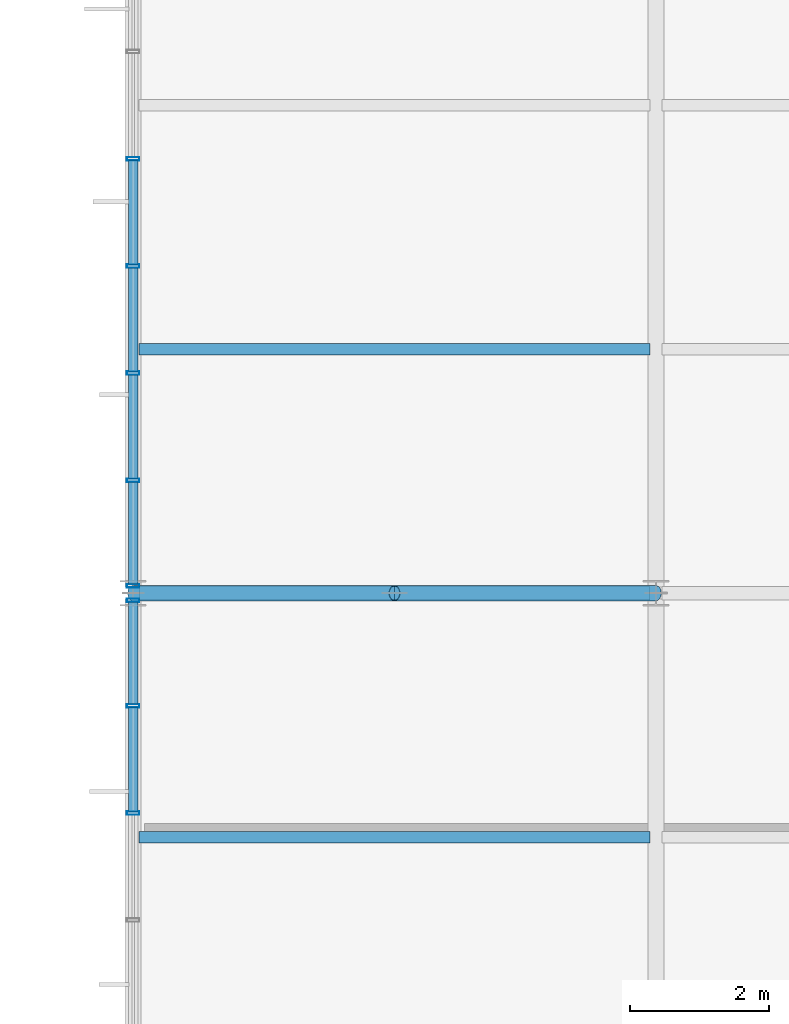
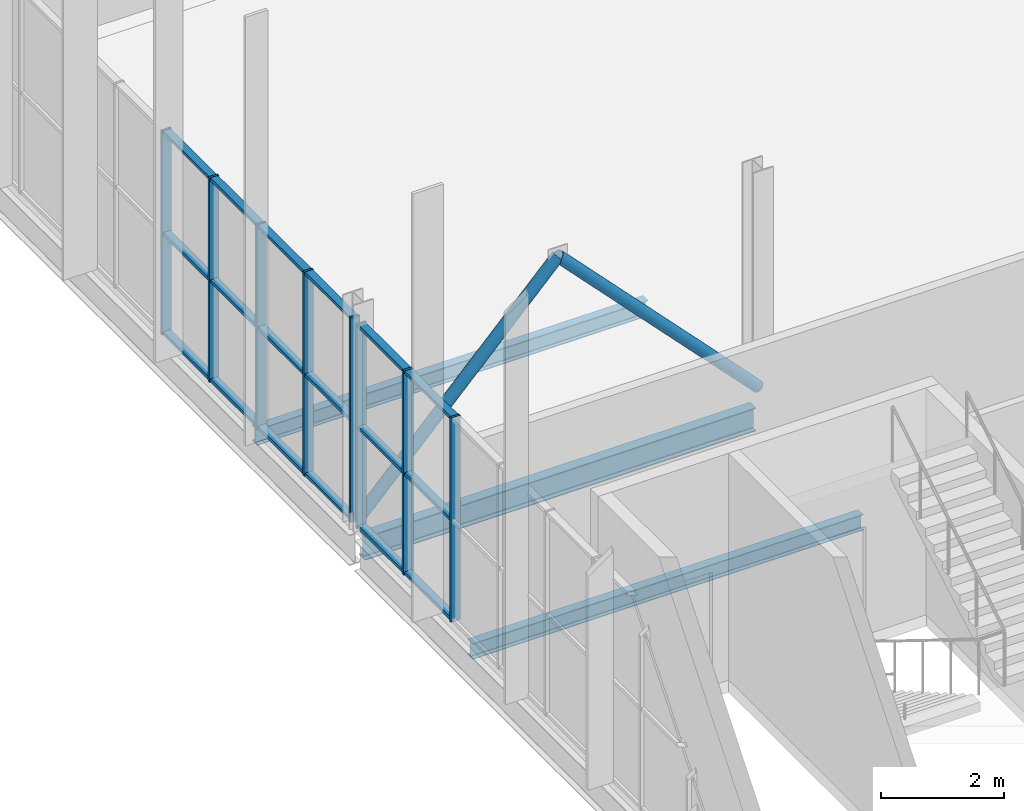
# One storey, part 77 of 324: 28 members, 3 beams, 2 elements without a shape of their own.
"""IFC4 building model written with IfcOpenShell, lengths in metres."""

from ifc_helpers import new_model, si_unit, direction, frame, origin, origin_2d, place, context, subcontext, project, spatial, hollow_rectangle, hollow_circle, i_section, extrude, material, layer, layer_set, material_profile, profile_set, type_object, element, aggregate, save


model = new_model("IFC4")

# Units and contexts
model_context = context("Model", 3, precision=1e-05, world=origin(), true_north=direction((0.0, 1.0)))
body_context = subcontext(model_context, "Body", "Model", "MODEL_VIEW")
ifc_project = project(units=[si_unit("LENGTHUNIT", "METRE"), si_unit("AREAUNIT", "SQUARE_METRE"), si_unit("VOLUMEUNIT", "CUBIC_METRE"), si_unit("PLANEANGLEUNIT", "RADIAN"), si_unit("MASSUNIT", "GRAM", prefix="KILO")], contexts=[model_context])

# Site, building, storey
site_placement = place(None, origin())
site = spatial("IfcSite", under=ifc_project, at=site_placement, CompositionType="ELEMENT")
building_placement = place(site_placement, origin())
building = spatial("IfcBuilding", under=site, at=building_placement, Name="Solvenia Promenade Tram Depot", CompositionType="ELEMENT")
storey_placement = place(building_placement, frame((0.0, 0.0, 4.5)))
storey = spatial("IfcBuildingStorey", under=building, at=storey_placement, Name="L01", CompositionType="ELEMENT", Elevation=4.5)

# Beam
ifc_material_1 = material(Name="Structural steel ASTM A992 Gr. 50", Category="steel")
ifc_material_profile_1 = material_profile(ifc_material_1, i_section(OverallWidth=0.19091796875, OverallDepth=0.4599609375, WebThickness=0.010009765625, FlangeThickness=0.01611328125, FilletRadius=0.012939453125, at=origin_2d()), Name="W460x82", Category="steel")
ifc_profile_set_1 = profile_set([ifc_material_profile_1], Name="Structural steel ASTM A992 Gr. 50")
beam_type_1 = type_object("IfcBeamType", Name="Beam-W460x82", PredefinedType="BEAM", material=ifc_profile_set_1)
beam_placement = place(storey_placement, frame((105.0849609375, 52.0, -0.469970703125), z_axis=(1.0, 0.0, 0.0), x_axis=(0.0, 1.0, 0.0)))
element("IfcBeam", 1, at=beam_placement, inside=storey, type_object=beam_type_1, Name="Primary Girder BM-L01-0129", PredefinedType="BEAM", context=body_context, shape_type="SweptSolid", body=[
    extrude(i_section(OverallWidth=0.19091796875, OverallDepth=0.4599609375, WebThickness=0.010009765625, FlangeThickness=0.01611328125, FilletRadius=0.012939453125, at=origin_2d()), origin(), (0.0, 0.0, 1.0), 7.330078125),
])

# Members
ifc_material_2 = material(Name="Structural steel ASTM A500 Gr. C", Category="steel")
ifc_material_profile_2 = material_profile(ifc_material_2, hollow_circle(Radius=0.109619140625, WallThickness=0.008056640625, at=origin_2d()), Name="CHS219.1x8", Category="steel")
ifc_profile_set_2 = profile_set([ifc_material_profile_2], Name="Structural steel ASTM A500 Gr. C")
member_type_1 = type_object("IfcMemberType", Name="Brace-CHS219x8", PredefinedType="BRACE", material=ifc_profile_set_2)
for number, where, z_axis, x_axis, name in (
    (2, (105.0, 52.0, 0.10009765625), (0.693117734231, 0.0, 0.720824393659), (0.0, 1.0, 0.0), "PAC-DES Chevron Brace 08L"),
    (3, (112.5, 52.0, 0.10009765625), (-0.693117734231, 0.0, 0.720824393659), (0.0, -1.0, 0.0), "PAC-DES Chevron Brace 08R"),
):
    element("IfcMember", number, at=place(storey_placement, frame(where, z_axis=z_axis, x_axis=x_axis)), inside=storey, type_object=member_type_1, Name=name, PredefinedType="BRACE", context=body_context, shape_type="SweptSolid", body=[
        extrude(hollow_circle(Radius=0.109619140625, WallThickness=0.008056640625, at=origin_2d()), origin(), (0.0, 0.0, 1.0), 5.410400390625),
    ])

# Curtain wall, members
ifc_material_3 = material(Name="Anodized aluminium AW-6063 T6", Category="aluminium")
ifc_layer = layer(ifc_material_3, 0.14990234375, Name="Anodized aluminium AW-6063 T6", Category="aluminium")
ifc_layer_set = layer_set([ifc_layer], Name="Anodized aluminium AW-6063 T6")
curtain_wall_type = type_object("IfcCurtainWallType", Name="CW-Court-1500", PredefinedType="NOTDEFINED", material=ifc_layer_set)
curtain_wall_1_placement = place(storey_placement, origin())
curtain_wall_1 = element("IfcCurtainWall", 4, at=curtain_wall_1_placement, inside=storey, type_object=curtain_wall_type, Name="Curtain Wall CW-V2W-L1-1", PredefinedType="NOTDEFINED")
ifc_material_profile_3 = material_profile(ifc_material_3, hollow_rectangle(XDim=0.179931640625, YDim=0.050048828125, WallThickness=0.00390625, at=origin_2d()), Name="ALU-M2", Category="aluminium")
ifc_profile_set_3 = profile_set([ifc_material_profile_3], Name="Anodized aluminium AW-6063 T6")
member_type_2 = type_object("IfcMemberType", Name="CWM-Mullion-2", PredefinedType="MULLION", material=ifc_profile_set_3)
member_1_placement = place(storey_placement, frame((105.0, 48.844482421875, 0.0), z_axis=(0.0, 0.0, 1.0), x_axis=(-1.0, 0.0, 0.0)))
member_1 = element("IfcMember", 5, at=member_1_placement, type_object=member_type_2, Name="CW-5 mullion 8", PredefinedType="MULLION", context=body_context, shape_type="SweptSolid", body=[
    extrude(hollow_rectangle(XDim=0.179931640625, YDim=0.050048828125, WallThickness=0.00390625, at=origin_2d()), origin(), (0.0, 0.0, 1.0), 4.050048828125),
])
member_2_placement = place(storey_placement, frame((105.0, 50.38232421875, 0.0), z_axis=(0.0, 0.0, 1.0), x_axis=(-1.0, 0.0, 0.0)))
member_2 = element("IfcMember", 6, at=member_2_placement, type_object=member_type_2, Name="CW-5 mullion 9", PredefinedType="MULLION", context=body_context, shape_type="SweptSolid", body=[
    extrude(hollow_rectangle(XDim=0.179931640625, YDim=0.050048828125, WallThickness=0.00390625, at=origin_2d()), origin(), (0.0, 0.0, 1.0), 4.050048828125),
])
member_3_placement = place(storey_placement, frame((105.0, 51.89501953125, 0.0), z_axis=(0.0, 0.0, 1.0), x_axis=(-1.0, 0.0, 0.0)))
member_3 = element("IfcMember", 7, at=member_3_placement, type_object=member_type_2, Name="CW-5 mullion 10", PredefinedType="MULLION", context=body_context, shape_type="SweptSolid", body=[
    extrude(hollow_rectangle(XDim=0.179931640625, YDim=0.050048828125, WallThickness=0.00390625, at=origin_2d()), origin(), (0.0, 0.0, 1.0), 4.050048828125),
])

curtain_wall_2_placement = place(storey_placement, origin())
curtain_wall_2 = element("IfcCurtainWall", 8, at=curtain_wall_2_placement, inside=storey, type_object=curtain_wall_type, Name="Curtain Wall CW-V2W-L1-2", PredefinedType="NOTDEFINED")
member_4_placement = place(storey_placement, frame((105.0, 52.10498046875, 0.0), z_axis=(0.0, 0.0, 1.0), x_axis=(-1.0, 0.0, 0.0)))
member_4 = element("IfcMember", 9, at=member_4_placement, type_object=member_type_2, Name="CW-5 mullion 1", PredefinedType="MULLION", context=body_context, shape_type="SweptSolid", body=[
    extrude(hollow_rectangle(XDim=0.179931640625, YDim=0.050048828125, WallThickness=0.00390625, at=origin_2d()), origin(), (0.0, 0.0, 1.0), 4.050048828125),
])
member_5_placement = place(storey_placement, frame((105.0, 53.61767578125, 0.0), z_axis=(0.0, 0.0, 1.0), x_axis=(-1.0, 0.0, 0.0)))
member_5 = element("IfcMember", 10, at=member_5_placement, type_object=member_type_2, Name="CW-5 mullion 2", PredefinedType="MULLION", context=body_context, shape_type="SweptSolid", body=[
    extrude(hollow_rectangle(XDim=0.179931640625, YDim=0.050048828125, WallThickness=0.00390625, at=origin_2d()), origin(), (0.0, 0.0, 1.0), 4.050048828125),
])
member_6_placement = place(storey_placement, frame((105.0, 55.155517578125, 0.0), z_axis=(0.0, 0.0, 1.0), x_axis=(-1.0, 0.0, 0.0)))
member_6 = element("IfcMember", 11, at=member_6_placement, type_object=member_type_2, Name="CW-5 mullion 3", PredefinedType="MULLION", context=body_context, shape_type="SweptSolid", body=[
    extrude(hollow_rectangle(XDim=0.179931640625, YDim=0.050048828125, WallThickness=0.00390625, at=origin_2d()), origin(), (0.0, 0.0, 1.0), 4.050048828125),
])
member_7_placement = place(storey_placement, frame((105.0, 56.693359375, 0.0), z_axis=(0.0, 0.0, 1.0), x_axis=(-1.0, 0.0, 0.0)))
member_7 = element("IfcMember", 12, at=member_7_placement, type_object=member_type_2, Name="CW-5 mullion 4", PredefinedType="MULLION", context=body_context, shape_type="SweptSolid", body=[
    extrude(hollow_rectangle(XDim=0.179931640625, YDim=0.050048828125, WallThickness=0.00390625, at=origin_2d()), origin(), (0.0, 0.0, 1.0), 4.050048828125),
])
member_8_placement = place(storey_placement, frame((105.0, 58.231201171875, 0.0), z_axis=(0.0, 0.0, 1.0), x_axis=(-1.0, 0.0, 0.0)))
member_8 = element("IfcMember", 13, at=member_8_placement, type_object=member_type_2, Name="CW-5 mullion 5", PredefinedType="MULLION", context=body_context, shape_type="SweptSolid", body=[
    extrude(hollow_rectangle(XDim=0.179931640625, YDim=0.050048828125, WallThickness=0.00390625, at=origin_2d()), origin(), (0.0, 0.0, 1.0), 4.050048828125),
])

# Member
ifc_material_profile_4 = material_profile(ifc_material_3, hollow_rectangle(XDim=0.139892578125, YDim=0.06494140625, WallThickness=0.00390625, at=origin_2d()), Name="ALU-T2", Category="aluminium")
ifc_profile_set_4 = profile_set([ifc_material_profile_4], Name="Anodized aluminium AW-6063 T6")
member_type_3 = type_object("IfcMemberType", Name="CWT-Transom-2", PredefinedType="USERDEFINED", material=ifc_profile_set_4)
member_9_placement = place(storey_placement, frame((105.0, 48.869384765625, 0.032470703125), z_axis=(0.0, 1.0, 0.0), x_axis=(-1.0, 0.0, 0.0)))
member_9 = element("IfcMember", 14, at=member_9_placement, type_object=member_type_3, Name="CW-5 transom 8.1", ObjectType="TRANSOM", PredefinedType="USERDEFINED", context=body_context, shape_type="SweptSolid", body=[
    extrude(hollow_rectangle(XDim=0.139892578125, YDim=0.06494140625, WallThickness=0.00390625, at=origin_2d()), origin(), (0.0, 0.0, 1.0), 1.48779296875),
])

member_10_placement = place(storey_placement, frame((105.0, 48.869384765625, 2.0), z_axis=(0.0, 1.0, 0.0), x_axis=(-1.0, 0.0, 0.0)))
member_10 = element("IfcMember", 15, at=member_10_placement, type_object=member_type_3, Name="CW-5 transom 8.2", ObjectType="TRANSOM", PredefinedType="USERDEFINED", context=body_context, shape_type="SweptSolid", body=[
    extrude(hollow_rectangle(XDim=0.139892578125, YDim=0.06494140625, WallThickness=0.00390625, at=origin_2d()), origin(), (0.0, 0.0, 1.0), 1.48779296875),
])

member_11_placement = place(storey_placement, frame((105.0, 48.869384765625, 4.017578125), z_axis=(0.0, 1.0, 0.0), x_axis=(-1.0, 0.0, 0.0)))
member_11 = element("IfcMember", 16, at=member_11_placement, type_object=member_type_3, Name="CW-5 transom 8.3", ObjectType="TRANSOM", PredefinedType="USERDEFINED", context=body_context, shape_type="SweptSolid", body=[
    extrude(hollow_rectangle(XDim=0.139892578125, YDim=0.06494140625, WallThickness=0.00390625, at=origin_2d()), origin(), (0.0, 0.0, 1.0), 1.48779296875),
])

member_12_placement = place(storey_placement, frame((105.0, 50.4072265625, 0.032470703125), z_axis=(0.0, 1.0, 0.0), x_axis=(-1.0, 0.0, 0.0)))
member_12 = element("IfcMember", 17, at=member_12_placement, type_object=member_type_3, Name="CW-5 transom 9.1", ObjectType="TRANSOM", PredefinedType="USERDEFINED", context=body_context, shape_type="SweptSolid", body=[
    extrude(hollow_rectangle(XDim=0.139892578125, YDim=0.06494140625, WallThickness=0.00390625, at=origin_2d()), origin(), (0.0, 0.0, 1.0), 1.462890625),
])

member_13_placement = place(storey_placement, frame((105.0, 50.4072265625, 2.0), z_axis=(0.0, 1.0, 0.0), x_axis=(-1.0, 0.0, 0.0)))
member_13 = element("IfcMember", 18, at=member_13_placement, type_object=member_type_3, Name="CW-5 transom 9.2", ObjectType="TRANSOM", PredefinedType="USERDEFINED", context=body_context, shape_type="SweptSolid", body=[
    extrude(hollow_rectangle(XDim=0.139892578125, YDim=0.06494140625, WallThickness=0.00390625, at=origin_2d()), origin(), (0.0, 0.0, 1.0), 1.462890625),
])

member_14_placement = place(storey_placement, frame((105.0, 50.4072265625, 4.017578125), z_axis=(0.0, 1.0, 0.0), x_axis=(-1.0, 0.0, 0.0)))
member_14 = element("IfcMember", 19, at=member_14_placement, type_object=member_type_3, Name="CW-5 transom 9.3", ObjectType="TRANSOM", PredefinedType="USERDEFINED", context=body_context, shape_type="SweptSolid", body=[
    extrude(hollow_rectangle(XDim=0.139892578125, YDim=0.06494140625, WallThickness=0.00390625, at=origin_2d()), origin(), (0.0, 0.0, 1.0), 1.462890625),
])

aggregate(curtain_wall_1, [member_1, member_2, member_3, member_9, member_10, member_11, member_12, member_13, member_14])

member_15_placement = place(storey_placement, frame((105.0, 52.1298828125, 0.032470703125), z_axis=(0.0, 1.0, 0.0), x_axis=(-1.0, 0.0, 0.0)))
member_15 = element("IfcMember", 20, at=member_15_placement, type_object=member_type_3, Name="CW-5 transom 1.1", ObjectType="TRANSOM", PredefinedType="USERDEFINED", context=body_context, shape_type="SweptSolid", body=[
    extrude(hollow_rectangle(XDim=0.139892578125, YDim=0.06494140625, WallThickness=0.00390625, at=origin_2d()), origin(), (0.0, 0.0, 1.0), 1.462890625),
])

member_16_placement = place(storey_placement, frame((105.0, 52.1298828125, 2.0), z_axis=(0.0, 1.0, 0.0), x_axis=(-1.0, 0.0, 0.0)))
member_16 = element("IfcMember", 21, at=member_16_placement, type_object=member_type_3, Name="CW-5 transom 1.2", ObjectType="TRANSOM", PredefinedType="USERDEFINED", context=body_context, shape_type="SweptSolid", body=[
    extrude(hollow_rectangle(XDim=0.139892578125, YDim=0.06494140625, WallThickness=0.00390625, at=origin_2d()), origin(), (0.0, 0.0, 1.0), 1.462890625),
])

member_17_placement = place(storey_placement, frame((105.0, 52.1298828125, 4.017578125), z_axis=(0.0, 1.0, 0.0), x_axis=(-1.0, 0.0, 0.0)))
member_17 = element("IfcMember", 22, at=member_17_placement, type_object=member_type_3, Name="CW-5 transom 1.3", ObjectType="TRANSOM", PredefinedType="USERDEFINED", context=body_context, shape_type="SweptSolid", body=[
    extrude(hollow_rectangle(XDim=0.139892578125, YDim=0.06494140625, WallThickness=0.00390625, at=origin_2d()), origin(), (0.0, 0.0, 1.0), 1.462890625),
])

member_18_placement = place(storey_placement, frame((105.0, 53.642822265625, 0.032470703125), z_axis=(0.0, 1.0, 0.0), x_axis=(-1.0, 0.0, 0.0)))
member_18 = element("IfcMember", 23, at=member_18_placement, type_object=member_type_3, Name="CW-5 transom 2.1", ObjectType="TRANSOM", PredefinedType="USERDEFINED", context=body_context, shape_type="SweptSolid", body=[
    extrude(hollow_rectangle(XDim=0.139892578125, YDim=0.06494140625, WallThickness=0.00390625, at=origin_2d()), origin(), (0.0, 0.0, 1.0), 1.48779296875),
])

member_19_placement = place(storey_placement, frame((105.0, 53.642822265625, 2.0), z_axis=(0.0, 1.0, 0.0), x_axis=(-1.0, 0.0, 0.0)))
member_19 = element("IfcMember", 24, at=member_19_placement, type_object=member_type_3, Name="CW-5 transom 2.2", ObjectType="TRANSOM", PredefinedType="USERDEFINED", context=body_context, shape_type="SweptSolid", body=[
    extrude(hollow_rectangle(XDim=0.139892578125, YDim=0.06494140625, WallThickness=0.00390625, at=origin_2d()), origin(), (0.0, 0.0, 1.0), 1.48779296875),
])

member_20_placement = place(storey_placement, frame((105.0, 53.642822265625, 4.017578125), z_axis=(0.0, 1.0, 0.0), x_axis=(-1.0, 0.0, 0.0)))
member_20 = element("IfcMember", 25, at=member_20_placement, type_object=member_type_3, Name="CW-5 transom 2.3", ObjectType="TRANSOM", PredefinedType="USERDEFINED", context=body_context, shape_type="SweptSolid", body=[
    extrude(hollow_rectangle(XDim=0.139892578125, YDim=0.06494140625, WallThickness=0.00390625, at=origin_2d()), origin(), (0.0, 0.0, 1.0), 1.48779296875),
])

member_21_placement = place(storey_placement, frame((105.0, 55.1806640625, 0.032470703125), z_axis=(0.0, 1.0, 0.0), x_axis=(-1.0, 0.0, 0.0)))
member_21 = element("IfcMember", 26, at=member_21_placement, type_object=member_type_3, Name="CW-5 transom 3.1", ObjectType="TRANSOM", PredefinedType="USERDEFINED", context=body_context, shape_type="SweptSolid", body=[
    extrude(hollow_rectangle(XDim=0.139892578125, YDim=0.06494140625, WallThickness=0.00390625, at=origin_2d()), origin(), (0.0, 0.0, 1.0), 1.487548828125),
])

member_22_placement = place(storey_placement, frame((105.0, 55.1806640625, 2.0), z_axis=(0.0, 1.0, 0.0), x_axis=(-1.0, 0.0, 0.0)))
member_22 = element("IfcMember", 27, at=member_22_placement, type_object=member_type_3, Name="CW-5 transom 3.2", ObjectType="TRANSOM", PredefinedType="USERDEFINED", context=body_context, shape_type="SweptSolid", body=[
    extrude(hollow_rectangle(XDim=0.139892578125, YDim=0.06494140625, WallThickness=0.00390625, at=origin_2d()), origin(), (0.0, 0.0, 1.0), 1.487548828125),
])

member_23_placement = place(storey_placement, frame((105.0, 55.1806640625, 4.017578125), z_axis=(0.0, 1.0, 0.0), x_axis=(-1.0, 0.0, 0.0)))
member_23 = element("IfcMember", 28, at=member_23_placement, type_object=member_type_3, Name="CW-5 transom 3.3", ObjectType="TRANSOM", PredefinedType="USERDEFINED", context=body_context, shape_type="SweptSolid", body=[
    extrude(hollow_rectangle(XDim=0.139892578125, YDim=0.06494140625, WallThickness=0.00390625, at=origin_2d()), origin(), (0.0, 0.0, 1.0), 1.487548828125),
])

member_24_placement = place(storey_placement, frame((105.0, 56.71826171875, 0.032470703125), z_axis=(0.0, 1.0, 0.0), x_axis=(-1.0, 0.0, 0.0)))
member_24 = element("IfcMember", 29, at=member_24_placement, type_object=member_type_3, Name="CW-5 transom 4.1", ObjectType="TRANSOM", PredefinedType="USERDEFINED", context=body_context, shape_type="SweptSolid", body=[
    extrude(hollow_rectangle(XDim=0.139892578125, YDim=0.06494140625, WallThickness=0.00390625, at=origin_2d()), origin(), (0.0, 0.0, 1.0), 1.48779296875),
])

member_25_placement = place(storey_placement, frame((105.0, 56.71826171875, 2.0), z_axis=(0.0, 1.0, 0.0), x_axis=(-1.0, 0.0, 0.0)))
member_25 = element("IfcMember", 30, at=member_25_placement, type_object=member_type_3, Name="CW-5 transom 4.2", ObjectType="TRANSOM", PredefinedType="USERDEFINED", context=body_context, shape_type="SweptSolid", body=[
    extrude(hollow_rectangle(XDim=0.139892578125, YDim=0.06494140625, WallThickness=0.00390625, at=origin_2d()), origin(), (0.0, 0.0, 1.0), 1.48779296875),
])

member_26_placement = place(storey_placement, frame((105.0, 56.71826171875, 4.017578125), z_axis=(0.0, 1.0, 0.0), x_axis=(-1.0, 0.0, 0.0)))
member_26 = element("IfcMember", 31, at=member_26_placement, type_object=member_type_3, Name="CW-5 transom 4.3", ObjectType="TRANSOM", PredefinedType="USERDEFINED", context=body_context, shape_type="SweptSolid", body=[
    extrude(hollow_rectangle(XDim=0.139892578125, YDim=0.06494140625, WallThickness=0.00390625, at=origin_2d()), origin(), (0.0, 0.0, 1.0), 1.48779296875),
])

aggregate(curtain_wall_2, [member_4, member_5, member_6, member_7, member_8, member_15, member_16, member_17, member_18, member_19, member_20, member_21, member_22, member_23, member_24, member_25, member_26])

# Beams
ifc_material_profile_5 = material_profile(ifc_material_1, i_section(OverallWidth=0.166015625, OverallDepth=0.31298828125, WebThickness=0.006591796875, FlangeThickness=0.01123046875, FilletRadius=0.010009765625, at=origin_2d()), Name="W310x45", Category="steel")
ifc_profile_set_5 = profile_set([ifc_material_profile_5], Name="Structural steel ASTM A992 Gr. 50")
beam_type_2 = type_object("IfcBeamType", Name="Joist-W310x45", PredefinedType="JOIST", material=ifc_profile_set_5)
for number, where, z_axis, x_axis, name in (
    (32, (105.0849609375, 48.5, -0.396484375), (1.0, 0.0, 0.0), (0.0, 1.0, 0.0), "Secondary Floor Joist BM-L01-0161"),
    (33, (105.0849609375, 55.5, -0.396484375), (1.0, 0.0, 0.0), (0.0, 1.0, 0.0), "Secondary Floor Joist BM-L01-0162"),
):
    element("IfcBeam", number, at=place(storey_placement, frame(where, z_axis=z_axis, x_axis=x_axis)), inside=storey, type_object=beam_type_2, Name=name, PredefinedType="JOIST", context=body_context, shape_type="SweptSolid", body=[
        extrude(i_section(OverallWidth=0.166015625, OverallDepth=0.31298828125, WebThickness=0.006591796875, FlangeThickness=0.01123046875, FilletRadius=0.010009765625, at=origin_2d()), origin(), (0.0, 0.0, 1.0), 7.330078125),
    ])

save(model, "model.ifc")
